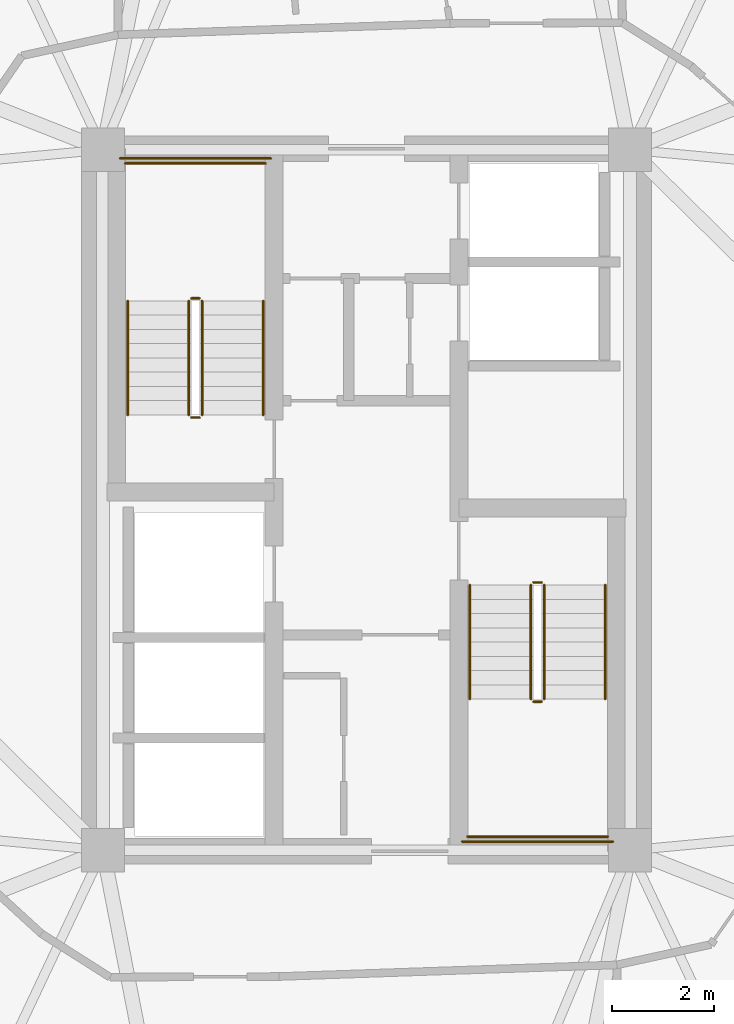
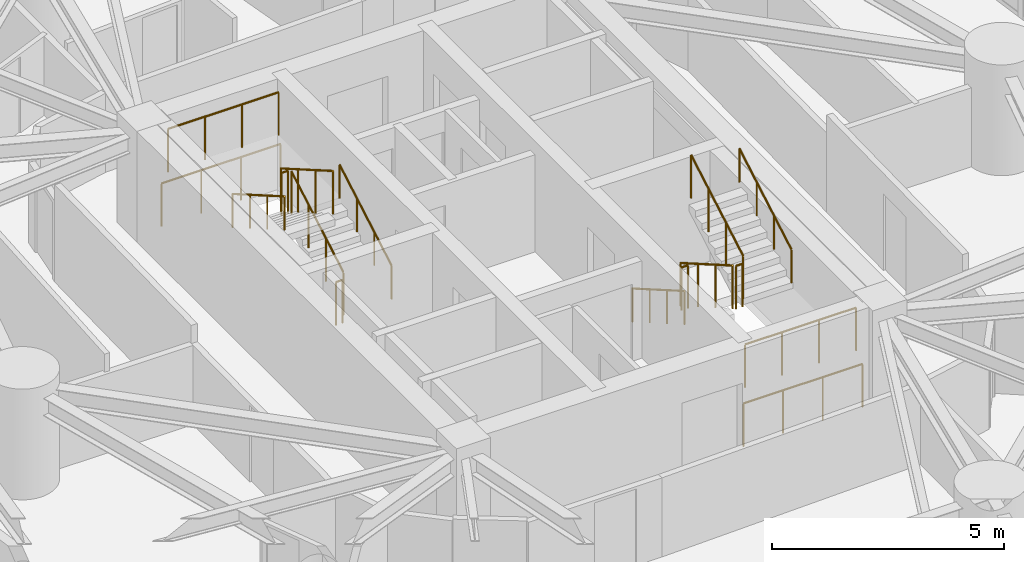
# One storey, part 15 of 16: 16 railings.
"""IFC4 building model written with IfcOpenShell, lengths in metres."""

from ifc_helpers import new_model, si_unit, direction, frame, origin, origin_2d, place, context, subcontext, project, spatial, circle, extrude, material, type_object, element, save


model = new_model("IFC4")

# Units and contexts
model_context = context("Model", 3, precision=1e-05, world=origin(), true_north=direction((0.0, 1.0)))
body_context = subcontext(model_context, "Body", "Model", "MODEL_VIEW")
ifc_project = project(units=[si_unit("LENGTHUNIT", "METRE"), si_unit("AREAUNIT", "SQUARE_METRE"), si_unit("VOLUMEUNIT", "CUBIC_METRE"), si_unit("PLANEANGLEUNIT", "RADIAN"), si_unit("MASSUNIT", "GRAM", prefix="KILO")], contexts=[model_context])

# Site, building, storey
site_placement = place(None, origin())
site = spatial("IfcSite", under=ifc_project, at=site_placement, CompositionType="ELEMENT")
building_placement = place(site_placement, origin())
building = spatial("IfcBuilding", under=site, at=building_placement, Name="Cununo Teusaquillo Station Towers", CompositionType="ELEMENT")
storey_placement = place(building_placement, frame((0.0, 0.0, 62.739990234375)))
storey = spatial("IfcBuildingStorey", under=building, at=storey_placement, Name="L19", CompositionType="ELEMENT", Elevation=62.739990234375)

# Railings
ifc_material_1 = material(Name="Steel EN 10025-2 S355J2", Category="steel")
railing_type_1 = type_object("IfcRailingType", Name="RL-INT-GUARD", PredefinedType="GUARDRAIL", material=ifc_material_1)
railing_1_placement = place(storey_placement, frame((13.27001953125, 26.169921875, 0.16162109375)))
element("IfcRailing", 1, at=railing_1_placement, inside=storey, type_object=railing_type_1, Name="L19 ST-T1-1 stair guard 1", PredefinedType="GUARDRAIL", context=body_context, shape_type="SweptSolid", body=[
    extrude(circle(Radius=0.02392578125, at=origin_2d()), frame((0.0, 0.0, 1.1259765625), z_axis=(0.0, 0.865992244559, 0.500057429065), x_axis=(-1.0, 0.0, 0.0)), (0.0, 0.0, 1.0), 2.586669921875),
    extrude(circle(Radius=0.02099609375, at=origin_2d()), origin(), (0.0, 0.0, 1.0), 1.101806640625),
    extrude(circle(Radius=0.02099609375, at=origin_2d()), frame((0.0, 0.74658203125, 0.43115234375)), (0.0, 0.0, 1.0), 1.101806640625),
    extrude(circle(Radius=0.02099609375, at=origin_2d()), frame((0.0, 1.493408203125, 0.8623046875)), (0.0, 0.0, 1.0), 1.101806640625),
    extrude(circle(Radius=0.02099609375, at=origin_2d()), frame((0.0, 2.239990234375, 1.29345703125)), (0.0, 0.0, 1.0), 1.101806640625),
])
railing_2_placement = place(storey_placement, frame((13.219970703125, 28.4599609375, 1.455078125)))
element("IfcRailing", 2, at=railing_2_placement, inside=storey, type_object=railing_type_1, Name="L19 ST-T1-1 stair guard 2", PredefinedType="GUARDRAIL", context=body_context, shape_type="SweptSolid", body=[
    extrude(circle(Radius=0.02392578125, at=origin_2d()), frame((0.0, 0.0, 1.1259765625), z_axis=(-1.0, 0.0, 0.0), x_axis=(0.0, -1.0, 0.0)), (0.0, 0.0, 1.0), 0.159912109375),
    extrude(circle(Radius=0.02099609375, at=origin_2d()), origin(), (0.0, 0.0, 1.0), 1.101806640625),
    extrude(circle(Radius=0.02099609375, at=origin_2d()), frame((-0.159912109375, 0.0, 0.0)), (0.0, 0.0, 1.0), 1.101806640625),
])
railing_3_placement = place(storey_placement, frame((14.52001953125, 31.110107421875, 1.455078125)))
element("IfcRailing", 3, at=railing_3_placement, inside=storey, type_object=railing_type_1, Name="L19 ST-T1-1 stair guard 3", PredefinedType="GUARDRAIL", context=body_context, shape_type="SweptSolid", body=[
    extrude(circle(Radius=0.02392578125, at=origin_2d()), frame((0.0, 0.0, 1.1259765625), z_axis=(-1.0, 0.0, 0.0), x_axis=(0.0, -1.0, 0.0)), (0.0, 0.0, 1.0), 2.760009765625),
    extrude(circle(Radius=0.02099609375, at=origin_2d()), origin(), (0.0, 0.0, 1.0), 1.101806640625),
    extrude(circle(Radius=0.02099609375, at=origin_2d()), frame((-0.919921875, 0.0, 0.0)), (0.0, 0.0, 1.0), 1.101806640625),
    extrude(circle(Radius=0.02099609375, at=origin_2d()), frame((-1.840087890625, 0.0, 0.0)), (0.0, 0.0, 1.0), 1.101806640625),
    extrude(circle(Radius=0.02099609375, at=origin_2d()), frame((-2.760009765625, 0.0, 0.0)), (0.0, 0.0, 1.0), 1.101806640625),
])
railing_4_placement = place(storey_placement, frame((13.010009765625, 28.409912109375, 1.61669921875)))
element("IfcRailing", 4, at=railing_4_placement, inside=storey, type_object=railing_type_1, Name="L19 ST-T1-1 stair guard 4", PredefinedType="GUARDRAIL", context=body_context, shape_type="SweptSolid", body=[
    extrude(circle(Radius=0.02392578125, at=origin_2d()), frame((0.0, 0.0, 1.1259765625), z_axis=(0.0, -0.866033117094, 0.499986639918), x_axis=(1.0, 0.0, 0.0)), (0.0, 0.0, 1.0), 2.58642578125),
    extrude(circle(Radius=0.02099609375, at=origin_2d()), origin(), (0.0, 0.0, 1.0), 1.101806640625),
    extrude(circle(Radius=0.02099609375, at=origin_2d()), frame((0.0, -0.74658203125, 0.43115234375)), (0.0, 0.0, 1.0), 1.101806640625),
    extrude(circle(Radius=0.02099609375, at=origin_2d()), frame((0.0, -1.493408203125, 0.862060546875)), (0.0, 0.0, 1.0), 1.101806640625),
    extrude(circle(Radius=0.02099609375, at=origin_2d()), frame((0.0, -2.239990234375, 1.293212890625)), (0.0, 0.0, 1.0), 1.101806640625),
])
railing_5_placement = place(storey_placement, frame((13.219970703125, 26.1201171875, 0.0)))
element("IfcRailing", 5, at=railing_5_placement, inside=storey, type_object=railing_type_1, Name="L19 ST-T1-1 stair guard 5", PredefinedType="GUARDRAIL", context=body_context, shape_type="SweptSolid", body=[
    extrude(circle(Radius=0.02392578125, at=origin_2d()), frame((0.0, 0.0, 1.1259765625), z_axis=(-1.0, 0.0, 0.0), x_axis=(0.0, -1.0, 0.0)), (0.0, 0.0, 1.0), 0.159912109375),
    extrude(circle(Radius=0.02099609375, at=origin_2d()), origin(), (0.0, 0.0, 1.0), 1.101806640625),
    extrude(circle(Radius=0.02099609375, at=origin_2d()), frame((-0.159912109375, 0.0, 0.0)), (0.0, 0.0, 1.0), 1.101806640625),
])
railing_6_placement = place(storey_placement, frame((14.6201171875, 31.2099609375, 0.0)))
element("IfcRailing", 6, at=railing_6_placement, inside=storey, type_object=railing_type_1, Name="L19 ST-T1-1 stair guard 6", PredefinedType="GUARDRAIL", context=body_context, shape_type="SweptSolid", body=[
    extrude(circle(Radius=0.02392578125, at=origin_2d()), frame((0.0, 0.0, 1.1259765625), z_axis=(-1.0, 0.0, 0.0), x_axis=(0.0, -1.0, 0.0)), (0.0, 0.0, 1.0), 2.960205078125),
    extrude(circle(Radius=0.02099609375, at=origin_2d()), origin(), (0.0, 0.0, 1.0), 1.101806640625),
    extrude(circle(Radius=0.02099609375, at=origin_2d()), frame((-0.98681640625, 0.0, 0.0)), (0.0, 0.0, 1.0), 1.101806640625),
    extrude(circle(Radius=0.02099609375, at=origin_2d()), frame((-1.973388671875, 0.0, 0.0)), (0.0, 0.0, 1.0), 1.101806640625),
    extrude(circle(Radius=0.02099609375, at=origin_2d()), frame((-2.960205078125, 0.0, 0.0)), (0.0, 0.0, 1.0), 1.101806640625),
])
railing_7_placement = place(storey_placement, frame((19.72998046875, 22.830078125, 0.16162109375)))
element("IfcRailing", 7, at=railing_7_placement, inside=storey, type_object=railing_type_1, Name="L19 ST-T1-2 stair guard 1", PredefinedType="GUARDRAIL", context=body_context, shape_type="SweptSolid", body=[
    extrude(circle(Radius=0.02392578125, at=origin_2d()), frame((0.0, 0.0, 1.1259765625), z_axis=(0.0, -0.865992244559, 0.500057429065), x_axis=(1.0, 0.0, 0.0)), (0.0, 0.0, 1.0), 2.586669921875),
    extrude(circle(Radius=0.02099609375, at=origin_2d()), origin(), (0.0, 0.0, 1.0), 1.101806640625),
    extrude(circle(Radius=0.02099609375, at=origin_2d()), frame((0.0, -0.74658203125, 0.43115234375)), (0.0, 0.0, 1.0), 1.101806640625),
    extrude(circle(Radius=0.02099609375, at=origin_2d()), frame((0.0, -1.493408203125, 0.8623046875)), (0.0, 0.0, 1.0), 1.101806640625),
    extrude(circle(Radius=0.02099609375, at=origin_2d()), frame((0.0, -2.239990234375, 1.29345703125)), (0.0, 0.0, 1.0), 1.101806640625),
])
railing_8_placement = place(storey_placement, frame((19.780029296875, 20.5400390625, 1.455078125)))
element("IfcRailing", 8, at=railing_8_placement, inside=storey, type_object=railing_type_1, Name="L19 ST-T1-2 stair guard 2", PredefinedType="GUARDRAIL", context=body_context, shape_type="SweptSolid", body=[
    extrude(circle(Radius=0.02392578125, at=origin_2d()), frame((0.0, 0.0, 1.1259765625), z_axis=(1.0, 0.0, 0.0), x_axis=(0.0, 1.0, 0.0)), (0.0, 0.0, 1.0), 0.159912109375),
    extrude(circle(Radius=0.02099609375, at=origin_2d()), origin(), (0.0, 0.0, 1.0), 1.101806640625),
    extrude(circle(Radius=0.02099609375, at=origin_2d()), frame((0.159912109375, 0.0, 0.0)), (0.0, 0.0, 1.0), 1.101806640625),
])
railing_9_placement = place(storey_placement, frame((18.47998046875, 17.889892578125, 1.455078125)))
element("IfcRailing", 9, at=railing_9_placement, inside=storey, type_object=railing_type_1, Name="L19 ST-T1-2 stair guard 3", PredefinedType="GUARDRAIL", context=body_context, shape_type="SweptSolid", body=[
    extrude(circle(Radius=0.02392578125, at=origin_2d()), frame((0.0, 0.0, 1.1259765625), z_axis=(1.0, 0.0, 0.0), x_axis=(0.0, 1.0, 0.0)), (0.0, 0.0, 1.0), 2.760009765625),
    extrude(circle(Radius=0.02099609375, at=origin_2d()), origin(), (0.0, 0.0, 1.0), 1.101806640625),
    extrude(circle(Radius=0.02099609375, at=origin_2d()), frame((0.919921875, 0.0, 0.0)), (0.0, 0.0, 1.0), 1.101806640625),
    extrude(circle(Radius=0.02099609375, at=origin_2d()), frame((1.840087890625, 0.0, 0.0)), (0.0, 0.0, 1.0), 1.101806640625),
    extrude(circle(Radius=0.02099609375, at=origin_2d()), frame((2.760009765625, 0.0, 0.0)), (0.0, 0.0, 1.0), 1.101806640625),
])
railing_10_placement = place(storey_placement, frame((19.989990234375, 20.590087890625, 1.61669921875)))
element("IfcRailing", 10, at=railing_10_placement, inside=storey, type_object=railing_type_1, Name="L19 ST-T1-2 stair guard 4", PredefinedType="GUARDRAIL", context=body_context, shape_type="SweptSolid", body=[
    extrude(circle(Radius=0.02392578125, at=origin_2d()), frame((0.0, 0.0, 1.1259765625), z_axis=(0.0, 0.866033117094, 0.499986639918), x_axis=(-1.0, 0.0, 0.0)), (0.0, 0.0, 1.0), 2.58642578125),
    extrude(circle(Radius=0.02099609375, at=origin_2d()), origin(), (0.0, 0.0, 1.0), 1.101806640625),
    extrude(circle(Radius=0.02099609375, at=origin_2d()), frame((0.0, 0.74658203125, 0.43115234375)), (0.0, 0.0, 1.0), 1.101806640625),
    extrude(circle(Radius=0.02099609375, at=origin_2d()), frame((0.0, 1.493408203125, 0.862060546875)), (0.0, 0.0, 1.0), 1.101806640625),
    extrude(circle(Radius=0.02099609375, at=origin_2d()), frame((0.0, 2.239990234375, 1.293212890625)), (0.0, 0.0, 1.0), 1.101806640625),
])
railing_11_placement = place(storey_placement, frame((19.780029296875, 22.8798828125, 0.0)))
element("IfcRailing", 11, at=railing_11_placement, inside=storey, type_object=railing_type_1, Name="L19 ST-T1-2 stair guard 5", PredefinedType="GUARDRAIL", context=body_context, shape_type="SweptSolid", body=[
    extrude(circle(Radius=0.02392578125, at=origin_2d()), frame((0.0, 0.0, 1.1259765625), z_axis=(1.0, 0.0, 0.0), x_axis=(0.0, 1.0, 0.0)), (0.0, 0.0, 1.0), 0.159912109375),
    extrude(circle(Radius=0.02099609375, at=origin_2d()), origin(), (0.0, 0.0, 1.0), 1.101806640625),
    extrude(circle(Radius=0.02099609375, at=origin_2d()), frame((0.159912109375, 0.0, 0.0)), (0.0, 0.0, 1.0), 1.101806640625),
])
railing_12_placement = place(storey_placement, frame((18.3798828125, 17.7900390625, 0.0)))
element("IfcRailing", 12, at=railing_12_placement, inside=storey, type_object=railing_type_1, Name="L19 ST-T1-2 stair guard 6", PredefinedType="GUARDRAIL", context=body_context, shape_type="SweptSolid", body=[
    extrude(circle(Radius=0.02392578125, at=origin_2d()), frame((0.0, 0.0, 1.1259765625), z_axis=(1.0, 0.0, 0.0), x_axis=(0.0, 1.0, 0.0)), (0.0, 0.0, 1.0), 2.960205078125),
    extrude(circle(Radius=0.02099609375, at=origin_2d()), origin(), (0.0, 0.0, 1.0), 1.101806640625),
    extrude(circle(Radius=0.02099609375, at=origin_2d()), frame((0.98681640625, 0.0, 0.0)), (0.0, 0.0, 1.0), 1.101806640625),
    extrude(circle(Radius=0.02099609375, at=origin_2d()), frame((1.973388671875, 0.0, 0.0)), (0.0, 0.0, 1.0), 1.101806640625),
    extrude(circle(Radius=0.02099609375, at=origin_2d()), frame((2.960205078125, 0.0, 0.0)), (0.0, 0.0, 1.0), 1.101806640625),
])
ifc_material_2 = material(Name="Steel EN 10025-2 S355J2", Category="steel")
railing_type_2 = type_object("IfcRailingType", Name="RL-INT-HRAIL", PredefinedType="HANDRAIL", material=ifc_material_2)
railing_13_placement = place(storey_placement, frame((14.469970703125, 26.169921875, 0.16162109375)))
element("IfcRailing", 13, at=railing_13_placement, inside=storey, type_object=railing_type_2, Name="L19 ST-T1-1 stair handrail 1", PredefinedType="HANDRAIL", context=body_context, shape_type="SweptSolid", body=[
    extrude(circle(Radius=0.02392578125, at=origin_2d()), frame((0.0, 0.0, 0.8759765625), z_axis=(0.0, 0.865992244559, 0.500057429065), x_axis=(-1.0, 0.0, 0.0)), (0.0, 0.0, 1.0), 2.586669921875),
    extrude(circle(Radius=0.02099609375, at=origin_2d()), origin(), (0.0, 0.0, 1.0), 0.851806640625),
    extrude(circle(Radius=0.02099609375, at=origin_2d()), frame((0.0, 0.74658203125, 0.43115234375)), (0.0, 0.0, 1.0), 0.851806640625),
    extrude(circle(Radius=0.02099609375, at=origin_2d()), frame((0.0, 1.493408203125, 0.8623046875)), (0.0, 0.0, 1.0), 0.851806640625),
    extrude(circle(Radius=0.02099609375, at=origin_2d()), frame((0.0, 2.239990234375, 1.29345703125)), (0.0, 0.0, 1.0), 0.851806640625),
])
railing_14_placement = place(storey_placement, frame((11.81005859375, 28.409912109375, 1.61669921875)))
element("IfcRailing", 14, at=railing_14_placement, inside=storey, type_object=railing_type_2, Name="L19 ST-T1-1 stair handrail 2", PredefinedType="HANDRAIL", context=body_context, shape_type="SweptSolid", body=[
    extrude(circle(Radius=0.02392578125, at=origin_2d()), frame((0.0, 0.0, 0.8759765625), z_axis=(0.0, -0.866033117094, 0.499986639918), x_axis=(1.0, 0.0, 0.0)), (0.0, 0.0, 1.0), 2.58642578125),
    extrude(circle(Radius=0.02099609375, at=origin_2d()), origin(), (0.0, 0.0, 1.0), 0.851806640625),
    extrude(circle(Radius=0.02099609375, at=origin_2d()), frame((0.0, -0.74658203125, 0.43115234375)), (0.0, 0.0, 1.0), 0.851806640625),
    extrude(circle(Radius=0.02099609375, at=origin_2d()), frame((0.0, -1.493408203125, 0.862060546875)), (0.0, 0.0, 1.0), 0.851806640625),
    extrude(circle(Radius=0.02099609375, at=origin_2d()), frame((0.0, -2.239990234375, 1.293212890625)), (0.0, 0.0, 1.0), 0.851806640625),
])
railing_15_placement = place(storey_placement, frame((18.530029296875, 22.830078125, 0.16162109375)))
element("IfcRailing", 15, at=railing_15_placement, inside=storey, type_object=railing_type_2, Name="L19 ST-T1-2 stair handrail 1", PredefinedType="HANDRAIL", context=body_context, shape_type="SweptSolid", body=[
    extrude(circle(Radius=0.02392578125, at=origin_2d()), frame((0.0, 0.0, 0.8759765625), z_axis=(0.0, -0.865992244559, 0.500057429065), x_axis=(1.0, 0.0, 0.0)), (0.0, 0.0, 1.0), 2.586669921875),
    extrude(circle(Radius=0.02099609375, at=origin_2d()), origin(), (0.0, 0.0, 1.0), 0.851806640625),
    extrude(circle(Radius=0.02099609375, at=origin_2d()), frame((0.0, -0.74658203125, 0.43115234375)), (0.0, 0.0, 1.0), 0.851806640625),
    extrude(circle(Radius=0.02099609375, at=origin_2d()), frame((0.0, -1.493408203125, 0.8623046875)), (0.0, 0.0, 1.0), 0.851806640625),
    extrude(circle(Radius=0.02099609375, at=origin_2d()), frame((0.0, -2.239990234375, 1.29345703125)), (0.0, 0.0, 1.0), 0.851806640625),
])
railing_16_placement = place(storey_placement, frame((21.18994140625, 20.590087890625, 1.61669921875)))
element("IfcRailing", 16, at=railing_16_placement, inside=storey, type_object=railing_type_2, Name="L19 ST-T1-2 stair handrail 2", PredefinedType="HANDRAIL", context=body_context, shape_type="SweptSolid", body=[
    extrude(circle(Radius=0.02392578125, at=origin_2d()), frame((0.0, 0.0, 0.8759765625), z_axis=(0.0, 0.866033117094, 0.499986639918), x_axis=(-1.0, 0.0, 0.0)), (0.0, 0.0, 1.0), 2.58642578125),
    extrude(circle(Radius=0.02099609375, at=origin_2d()), origin(), (0.0, 0.0, 1.0), 0.851806640625),
    extrude(circle(Radius=0.02099609375, at=origin_2d()), frame((0.0, 0.74658203125, 0.43115234375)), (0.0, 0.0, 1.0), 0.851806640625),
    extrude(circle(Radius=0.02099609375, at=origin_2d()), frame((0.0, 1.493408203125, 0.862060546875)), (0.0, 0.0, 1.0), 0.851806640625),
    extrude(circle(Radius=0.02099609375, at=origin_2d()), frame((0.0, 2.239990234375, 1.293212890625)), (0.0, 0.0, 1.0), 0.851806640625),
])

save(model, "model.ifc")
